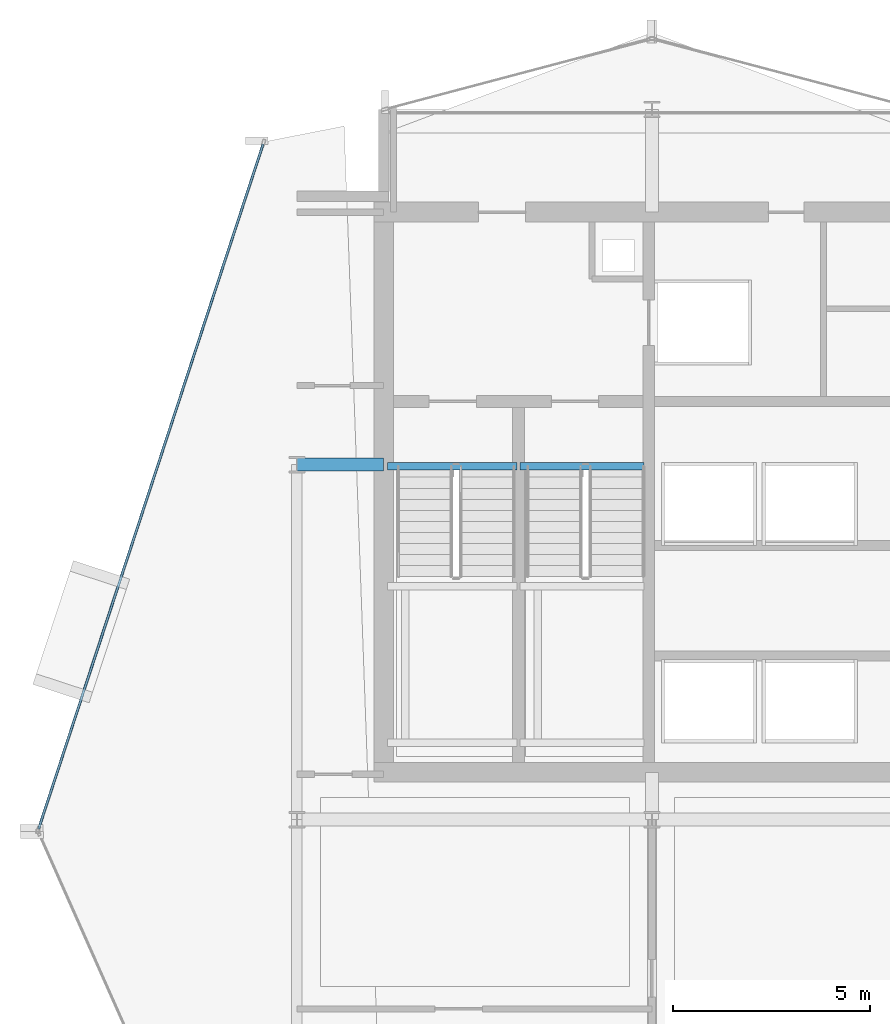
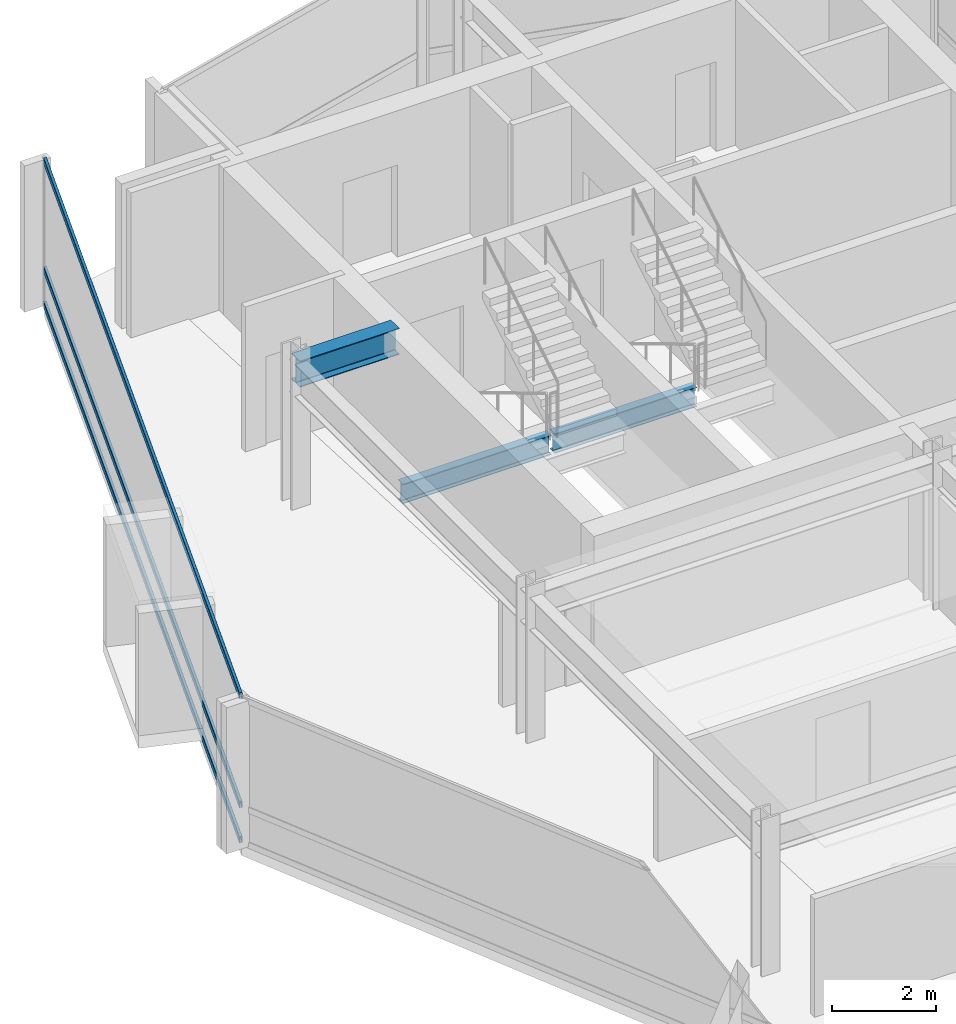
# One storey, part 15 of 27: 3 beams, 3 members, 1 element without a shape of its own.
"""IFC4 building model written with IfcOpenShell, lengths in metres."""

from ifc_helpers import new_model, si_unit, direction, frame, origin, origin_2d, place, context, subcontext, project, spatial, hollow_rectangle, i_section, extrude, material, layer, layer_set, material_profile, profile_set, type_object, element, aggregate, save


model = new_model("IFC4")

# Units and contexts
model_context = context("Model", 3, precision=1e-05, world=origin(), true_north=direction((0.0, 1.0)))
body_context = subcontext(model_context, "Body", "Model", "MODEL_VIEW")
ifc_project = project(units=[si_unit("LENGTHUNIT", "METRE"), si_unit("AREAUNIT", "SQUARE_METRE"), si_unit("VOLUMEUNIT", "CUBIC_METRE"), si_unit("PLANEANGLEUNIT", "RADIAN"), si_unit("MASSUNIT", "GRAM", prefix="KILO")], contexts=[model_context])

# Site, building, storey
site_placement = place(None, origin())
site = spatial("IfcSite", under=ifc_project, at=site_placement, CompositionType="ELEMENT")
building_placement = place(site_placement, origin())
building = spatial("IfcBuilding", under=site, at=building_placement, Name="Solvaryn Broadcast Tower", CompositionType="ELEMENT")
storey_placement = place(building_placement, frame((0.0, 0.0, 185.300048828125)))
storey = spatial("IfcBuildingStorey", under=building, at=storey_placement, Name="L46", CompositionType="ELEMENT", Elevation=185.300048828125)

# Beams
ifc_material_1 = material(Name="Steel ASTM A992 Grade 50", Category="steel")
ifc_material_profile_1 = material_profile(ifc_material_1, i_section(OverallWidth=0.323974609375, OverallDepth=0.611083984375, WebThickness=0.0126953125, FlangeThickness=0.01904296875, FilletRadius=0.014892578125, at=origin_2d()))
ifc_profile_set_1 = profile_set([ifc_material_profile_1], Name="Steel ASTM A992 Grade 50")
beam_type_1 = type_object("IfcBeamType", Name="BM-B1-W24X104", PredefinedType="BEAM", material=ifc_profile_set_1)
beam_1_placement = place(storey_placement, frame((9.0, 36.0, 3.114501953125), z_axis=(1.0, 0.0, 0.0), x_axis=(0.0, 1.0, 0.0)))
element("IfcBeam", 1, at=beam_1_placement, inside=storey, type_object=beam_type_1, Name="L46 Core Tie Beam CTW1", PredefinedType="BEAM", context=body_context, shape_type="SweptSolid", body=[
    extrude(i_section(OverallWidth=0.323974609375, OverallDepth=0.611083984375, WebThickness=0.0126953125, FlangeThickness=0.01904296875, FilletRadius=0.014892578125, at=origin_2d()), origin(), (0.0, 0.0, 1.0), 2.199951171875),
])
ifc_material_2 = material(Name="Steel ASTM A992 Grade 50", Category="steel")
ifc_material_profile_2 = material_profile(ifc_material_2, i_section(OverallWidth=0.18994140625, OverallDepth=0.45703125, WebThickness=0.009033203125, FlangeThickness=0.014404296875, FilletRadius=0.011962890625, at=origin_2d()))
ifc_profile_set_2 = profile_set([ifc_material_profile_2], Name="Steel ASTM A992 Grade 50")
beam_type_2 = type_object("IfcBeamType", Name="BM-B4-W18X50", PredefinedType="BEAM", material=ifc_profile_set_2)
beam_2_placement = place(storey_placement, frame((11.300048828125, 35.9599609375, -0.508544921875), z_axis=(1.0, 0.0, 0.0), x_axis=(0.0, 1.0, 0.0)))
element("IfcBeam", 2, at=beam_2_placement, inside=storey, type_object=beam_type_2, Name="L46 ST1 Stair Well Trimmer Beam", PredefinedType="BEAM", context=body_context, shape_type="SweptSolid", body=[
    extrude(i_section(OverallWidth=0.18994140625, OverallDepth=0.45703125, WebThickness=0.009033203125, FlangeThickness=0.014404296875, FilletRadius=0.011962890625, at=origin_2d()), origin(), (0.0, 0.0, 1.0), 3.280029296875),
])
beam_3_placement = place(storey_placement, frame((14.659912109375, 35.9599609375, -0.508544921875), z_axis=(1.0, 0.0, 0.0), x_axis=(0.0, 1.0, 0.0)))
element("IfcBeam", 3, at=beam_3_placement, inside=storey, type_object=beam_type_2, Name="L46 ST2 Stair Well Trimmer Beam", PredefinedType="BEAM", context=body_context, shape_type="SweptSolid", body=[
    extrude(i_section(OverallWidth=0.18994140625, OverallDepth=0.45703125, WebThickness=0.009033203125, FlangeThickness=0.014404296875, FilletRadius=0.011962890625, at=origin_2d()), origin(), (0.0, 0.0, 1.0), 3.14013671875),
])

# Curtain wall, members
ifc_material_3 = material(Name="Aluminium and Terracotta Unitised Curtain Wall", Category="masonry")
ifc_layer = layer(ifc_material_3, 0.199951171875)
ifc_layer_set = layer_set([ifc_layer], Name="CW-SYS2-LOWMID")
curtain_wall_type = type_object("IfcCurtainWallType", Name="CW-SYS2-LOWMID", PredefinedType="NOTDEFINED", material=ifc_layer_set)
curtain_wall_placement = place(storey_placement, origin())
curtain_wall = element("IfcCurtainWall", 4, at=curtain_wall_placement, inside=storey, type_object=curtain_wall_type, Name="L46 Curtain Wall DR1", PredefinedType="NOTDEFINED")
ifc_material_4 = material(Name="Anodised Aluminium 6063-T6", Category="aluminium")
ifc_material_profile_3 = material_profile(ifc_material_4, hollow_rectangle(XDim=0.06494140625, YDim=0.14990234375, WallThickness=0.00390625, InnerFilletRadius=0.00390625, OuterFilletRadius=0.008056640625, at=origin_2d()))
ifc_profile_set_3 = profile_set([ifc_material_profile_3], Name="Anodised Aluminium 6063-T6")
member_type = type_object("IfcMemberType", Name="CW-TRN-150", PredefinedType="USERDEFINED", material=ifc_profile_set_3)
member_1_placement = place(storey_placement, frame((8.144287109375, 44.125, 0.030029296875), z_axis=(-0.311557987209, -0.950227141586, 0.0), x_axis=(0.950227141586, -0.311557987209, 0.0)))
member_1 = element("IfcMember", 5, at=member_1_placement, type_object=member_type, Name="CWS2 transom 1.1", ObjectType="TRANSOM", PredefinedType="USERDEFINED", context=body_context, shape_type="SweptSolid", body=[
    extrude(hollow_rectangle(XDim=0.06494140625, YDim=0.14990234375, WallThickness=0.00390625, InnerFilletRadius=0.00390625, OuterFilletRadius=0.008056640625, at=origin_2d()), origin(), (0.0, 0.0, 1.0), 18.271484375),
])
member_2_placement = place(storey_placement, frame((8.144287109375, 44.125, 0.849853515625), z_axis=(-0.311557987209, -0.950227141586, 0.0), x_axis=(0.950227141586, -0.311557987209, 0.0)))
member_2 = element("IfcMember", 6, at=member_2_placement, type_object=member_type, Name="CWS2 transom 1.2", ObjectType="TRANSOM", PredefinedType="USERDEFINED", context=body_context, shape_type="SweptSolid", body=[
    extrude(hollow_rectangle(XDim=0.06494140625, YDim=0.14990234375, WallThickness=0.00390625, InnerFilletRadius=0.00390625, OuterFilletRadius=0.008056640625, at=origin_2d()), origin(), (0.0, 0.0, 1.0), 18.271484375),
])
member_3_placement = place(storey_placement, frame((8.144287109375, 44.125, 3.389892578125), z_axis=(-0.311557987209, -0.950227141586, 0.0), x_axis=(0.950227141586, -0.311557987209, 0.0)))
member_3 = element("IfcMember", 7, at=member_3_placement, type_object=member_type, Name="CWS2 transom 1.3", ObjectType="TRANSOM", PredefinedType="USERDEFINED", context=body_context, shape_type="SweptSolid", body=[
    extrude(hollow_rectangle(XDim=0.06494140625, YDim=0.14990234375, WallThickness=0.00390625, InnerFilletRadius=0.00390625, OuterFilletRadius=0.008056640625, at=origin_2d()), origin(), (0.0, 0.0, 1.0), 18.271484375),
])
aggregate(curtain_wall, [member_1, member_2, member_3])

save(model, "model.ifc")
